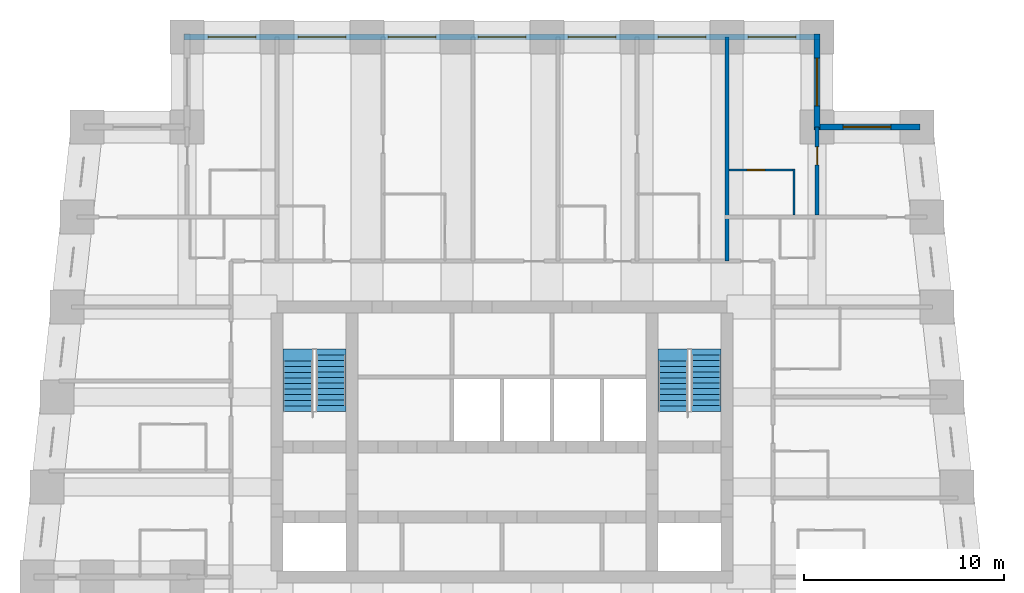
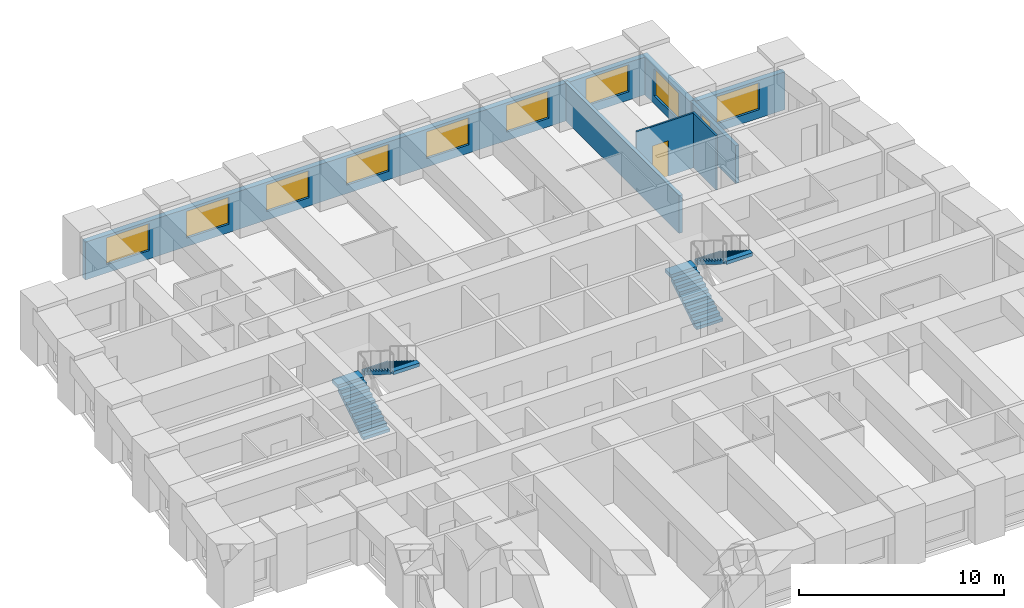
# One storey, part 7 of 8: 9 windows, 7 walls, 4 stair flights, 2 doors, 11 openings, 2 elements without a shape of their own.
"""IFC4 building model written with IfcOpenShell, lengths in metres."""

from ifc_helpers import new_model, si_unit, direction, frame, frame_2d, origin, place, context, subcontext, project, spatial, polyline, rectangle, outline, extrude, material, layer, layer_set, type_object, element, fill, aggregate, save


model = new_model("IFC4")

# Units and contexts
model_context = context("Model", 3, precision=1e-05, world=origin(), true_north=direction((0.0, 1.0)))
body_context = subcontext(model_context, "Body", "Model", "MODEL_VIEW")
ifc_project = project(units=[si_unit("LENGTHUNIT", "METRE"), si_unit("AREAUNIT", "SQUARE_METRE"), si_unit("VOLUMEUNIT", "CUBIC_METRE"), si_unit("PLANEANGLEUNIT", "RADIAN"), si_unit("MASSUNIT", "GRAM", prefix="KILO")], contexts=[model_context])

# Site, building, storey
site_placement = place(None, origin())
site = spatial("IfcSite", under=ifc_project, at=site_placement, CompositionType="ELEMENT")
building_placement = place(site_placement, origin())
building = spatial("IfcBuilding", under=site, at=building_placement, Name="Kilele Tower Hotel", CompositionType="ELEMENT")
storey_placement = place(building_placement, frame((0.0, 0.0, 197.39990234375)))
storey = spatial("IfcBuildingStorey", under=building, at=storey_placement, Name="L51", CompositionType="ELEMENT", Elevation=197.39990234375)

# Wall
ifc_material_1 = material(Name="Moisture-resistant board")
ifc_layer_1 = layer(ifc_material_1, 0.10009765625)
ifc_layer_set_1 = layer_set([ifc_layer_1], Name="Moisture-resistant board")
wall_type_1 = type_object("IfcWallType", Name="Bathroom partition 100", PredefinedType="PLUMBINGWALL", material=ifc_layer_set_1)
wall_1_placement = place(storey_placement, frame((39.35009765625, 31.60009765625, 0.0), z_axis=(0.0, 0.0, 1.0), x_axis=(0.0, 1.0, 0.0)))
element("IfcWall", 1, at=wall_1_placement, inside=storey, type_object=wall_type_1, Name="Bathroom partition 100 L51", PredefinedType="PLUMBINGWALL", context=body_context, shape_type="SweptSolid", body=[
    extrude(rectangle(XDim=2.2998046875, YDim=0.10009765625, at=frame_2d((1.14990234375, 0.0))), origin(), (0.0, 0.0, 1.0), 3.25),
])

# Wall, opening, door
wall_2_placement = place(storey_placement, frame((36.10009765625, 33.85009765625, 0.0), z_axis=(0.0, 0.0, 1.0), x_axis=(1.0, 0.0, 0.0)))
wall_2 = element("IfcWall", 2, at=wall_2_placement, inside=storey, type_object=wall_type_1, Name="Bathroom partition 100 L51", PredefinedType="PLUMBINGWALL", context=body_context, shape_type="SweptSolid", body=[
    extrude(rectangle(XDim=3.2998046875, YDim=0.10009765625, at=frame_2d((1.64990234375, 0.0))), origin(), (0.0, 0.0, 1.0), 3.25),
])
opening_1_placement = place(wall_2_placement, frame((0.89990234375, 0.0, 0.0)))
opening_1 = element("IfcOpeningElement", 3, at=opening_1_placement, cuts=wall_2, Name="Opening D2A", PredefinedType="OPENING", context=body_context, shape_type="SweptSolid", body=[
    extrude(rectangle(XDim=0.89990234375, YDim=2.10009765625, at=frame_2d((0.449951171875, 1.050048828125))), frame((0.0, 0.06005859375, 0.0), z_axis=(0.0, -1.0, 0.0), x_axis=(1.0, 0.0, 0.0)), (0.0, 0.0, 1.0), 0.1201171875),
])
ifc_material_2 = material(Name="Timber door leaf in hardwood frame", Category="wood")
door_type_1 = type_object("IfcDoorType", Name="Bathroom door 900", OperationType="SINGLE_SWING_LEFT", PredefinedType="DOOR", material=ifc_material_2)
door_1_placement = place(opening_1_placement, origin())
door_1 = element("IfcDoor", 4, at=door_1_placement, inside=storey, type_object=door_type_1, Name="Bathroom door 5123B", OperationType="SINGLE_SWING_LEFT", OverallHeight=2.10009765625, OverallWidth=0.89990234375, PredefinedType="DOOR", context=body_context, shape_type="SweptSolid", body=[
    extrude(rectangle(XDim=0.89990234375, YDim=2.10009765625, at=frame_2d((0.449951171875, 1.050048828125))), frame((0.0, 0.02490234375, 0.0), z_axis=(0.0, -1.0, 0.0), x_axis=(1.0, 0.0, 0.0)), (0.0, 0.0, 1.0), 0.050048828125),
])
fill(opening_1, door_1)

ifc_material_3 = material(Name="Blockwork, plastered both sides", Category="masonry")
ifc_layer_2 = layer(ifc_material_3, 0.199951171875)
ifc_layer_set_2 = layer_set([ifc_layer_2], Name="Blockwork, plastered both sides")
wall_type_2 = type_object("IfcWallType", Name="Partition wall 200", PredefinedType="PARTITIONING", material=ifc_layer_set_2)
wall_3_placement = place(storey_placement, frame((40.5, 31.60009765625, 0.0), z_axis=(0.0, 0.0, 1.0), x_axis=(0.0, 1.0, 0.0)))
wall_3 = element("IfcWall", 5, at=wall_3_placement, inside=storey, type_object=wall_type_2, Name="Partition wall 200 L51", PredefinedType="PARTITIONING", context=body_context, shape_type="SweptSolid", body=[
    extrude(rectangle(XDim=4.39990234375, YDim=0.199951171875, at=frame_2d((2.199951171875, 0.0))), origin(), (0.0, 0.0, 1.0), 2.25),
])
opening_2_placement = place(wall_3_placement, frame((2.5, 0.0, 0.0)))
opening_2 = element("IfcOpeningElement", 6, at=opening_2_placement, cuts=wall_3, Name="Opening D3", PredefinedType="OPENING", context=body_context, shape_type="SweptSolid", body=[
    extrude(rectangle(XDim=0.89990234375, YDim=2.10009765625, at=frame_2d((0.449951171875, 1.050048828125))), frame((0.0, 0.10986328125, 0.0), z_axis=(0.0, -1.0, 0.0), x_axis=(1.0, 0.0, 0.0)), (0.0, 0.0, 1.0), 0.219970703125),
])
ifc_material_4 = material(Name="Timber door leaf in hardwood frame", Category="wood")
door_type_2 = type_object("IfcDoorType", Name="Suite internal door 900", OperationType="SINGLE_SWING_LEFT", PredefinedType="DOOR", material=ifc_material_4)
door_2_placement = place(opening_2_placement, origin())
door_2 = element("IfcDoor", 7, at=door_2_placement, inside=storey, type_object=door_type_2, Name="Suite door 5124", OperationType="SINGLE_SWING_RIGHT", OverallHeight=2.10009765625, OverallWidth=0.89990234375, PredefinedType="DOOR", context=body_context, shape_type="SweptSolid", body=[
    extrude(rectangle(XDim=0.89990234375, YDim=2.10009765625, at=frame_2d((0.449951171875, 1.050048828125))), frame((0.0, 0.02490234375, 0.0), z_axis=(0.0, -1.0, 0.0), x_axis=(1.0, 0.0, 0.0)), (0.0, 0.0, 1.0), 0.050048828125),
])
fill(opening_2, door_2)

# Wall
ifc_material_5 = material(Name="Blockwork, plastered both sides", Category="masonry")
ifc_layer_3 = layer(ifc_material_5, 0.199951171875)
ifc_layer_set_3 = layer_set([ifc_layer_3], Name="Blockwork, plastered both sides")
wall_type_3 = type_object("IfcWallType", Name="Party wall 200", PredefinedType="PARTITIONING", material=ifc_layer_set_3)
wall_4_placement = place(storey_placement, frame((36.0, 29.300048828125, 0.0), z_axis=(0.0, 0.0, 1.0), x_axis=(0.0, 1.0, 0.0)))
element("IfcWall", 8, at=wall_4_placement, inside=storey, type_object=wall_type_3, Name="Party wall 200 L51", PredefinedType="PARTITIONING", context=body_context, shape_type="SweptSolid", body=[
    extrude(rectangle(XDim=11.199951171875, YDim=0.199951171875, at=frame_2d((5.60009765625, 0.0))), origin(), (0.0, 0.0, 1.0), 2.25),
])

# Wall, opening, window
ifc_material_6 = material(Name="Concrete C40/50 precast", Category="concrete")
ifc_layer_4 = layer(ifc_material_6, 0.260009765625, Name="Precast backing", Category="LoadBearing")
ifc_material_7 = material(Name="Reconstituted stone finish", Category="masonry")
ifc_layer_5 = layer(ifc_material_7, 0.0400390625, Name="Face mix", Category="Finish")
ifc_layer_set_4 = layer_set([ifc_layer_4, ifc_layer_5], Name="Precast concrete C40/50, reconstituted stone finish")
wall_type_4 = type_object("IfcWallType", Name="Precast stone facade wall 300", PredefinedType="STANDARD", material=ifc_layer_set_4)
wall_5_placement = place(storey_placement, frame((45.64990234375, 36.0, 0.0), z_axis=(0.0, 0.0, 1.0), x_axis=(-1.0, 0.0, 0.0)))
wall_5 = element("IfcWall", 9, at=wall_5_placement, inside=storey, type_object=wall_type_4, Name="Facade wall L51 edge 7", PredefinedType="STANDARD", context=body_context, shape_type="SweptSolid", body=[
    extrude(rectangle(XDim=5.2998046875, YDim=0.300048828125, at=frame_2d((2.64990234375, 0.0))), origin(), (0.0, 0.0, 1.0), 2.25),
])
opening_3_placement = place(wall_5_placement, frame((1.449951171875, 0.0, 0.5)))
opening_3 = element("IfcOpeningElement", 10, at=opening_3_placement, cuts=wall_5, Name="Opening W3", PredefinedType="OPENING", context=body_context, shape_type="SweptSolid", body=[
    extrude(rectangle(XDim=2.39990234375, YDim=1.60009765625, at=frame_2d((1.199951171875, 0.800048828125))), frame((0.0, 0.159912109375, 0.0), z_axis=(0.0, -1.0, 0.0), x_axis=(1.0, 0.0, 0.0)), (0.0, 0.0, 1.0), 0.320068359375),
])
ifc_material_8 = material(Name="Aluminium frame, clear double glazing", Category="aluminium")
window_type = type_object("IfcWindowType", Name="Window W3 2400 x 1600", PartitioningType="SINGLE_PANEL", PredefinedType="WINDOW", material=ifc_material_8)
window_1_placement = place(opening_3_placement, origin())
window_1 = element("IfcWindow", 11, at=window_1_placement, inside=storey, type_object=window_type, Name="Window L51", OverallHeight=1.60009765625, OverallWidth=2.39990234375, PartitioningType="SINGLE_PANEL", PredefinedType="WINDOW", context=body_context, shape_type="SweptSolid", body=[
    extrude(rectangle(XDim=2.39990234375, YDim=1.60009765625, at=frame_2d((1.199951171875, 0.800048828125))), frame((0.0, 0.030029296875, 0.0), z_axis=(0.0, -1.0, 0.0), x_axis=(1.0, 0.0, 0.0)), (0.0, 0.0, 1.0), 0.06005859375),
])
fill(opening_3, window_1)

wall_6_placement = place(storey_placement, frame((40.5, 35.85009765625, 0.0), z_axis=(0.0, 0.0, 1.0), x_axis=(0.0, 1.0, 0.0)))
wall_6 = element("IfcWall", 12, at=wall_6_placement, inside=storey, type_object=wall_type_4, Name="Facade wall L51 edge 8", PredefinedType="STANDARD", context=body_context, shape_type="SweptSolid", body=[
    extrude(rectangle(XDim=4.7998046875, YDim=0.300048828125, at=frame_2d((2.39990234375, 0.0))), origin(), (0.0, 0.0, 1.0), 2.25),
])
opening_4_placement = place(wall_6_placement, frame((1.199951171875, 0.0, 0.5)))
opening_4 = element("IfcOpeningElement", 13, at=opening_4_placement, cuts=wall_6, Name="Opening W3", PredefinedType="OPENING", context=body_context, shape_type="SweptSolid", body=[
    extrude(rectangle(XDim=2.39990234375, YDim=1.60009765625, at=frame_2d((1.199951171875, 0.800048828125))), frame((0.0, 0.159912109375, 0.0), z_axis=(0.0, -1.0, 0.0), x_axis=(1.0, 0.0, 0.0)), (0.0, 0.0, 1.0), 0.320068359375),
])
window_2_placement = place(opening_4_placement, origin())
window_2 = element("IfcWindow", 14, at=window_2_placement, inside=storey, type_object=window_type, Name="Window L51", OverallHeight=1.60009765625, OverallWidth=2.39990234375, PartitioningType="SINGLE_PANEL", PredefinedType="WINDOW", context=body_context, shape_type="SweptSolid", body=[
    extrude(rectangle(XDim=2.39990234375, YDim=1.60009765625, at=frame_2d((1.199951171875, 0.800048828125))), frame((0.0, 0.030029296875, 0.0), z_axis=(0.0, -1.0, 0.0), x_axis=(1.0, 0.0, 0.0)), (0.0, 0.0, 1.0), 0.06005859375),
])
fill(opening_4, window_2)

# Wall, openings, windows
wall_7_placement = place(storey_placement, frame((40.64990234375, 40.5, 0.0), z_axis=(0.0, 0.0, 1.0), x_axis=(-1.0, 0.0, 0.0)))
wall_7 = element("IfcWall", 15, at=wall_7_placement, inside=storey, type_object=wall_type_4, Name="Facade wall L51 edge 9", PredefinedType="STANDARD", context=body_context, shape_type="SweptSolid", body=[
    extrude(rectangle(XDim=31.7998046875, YDim=0.300048828125, at=frame_2d((15.89990234375, 0.0))), origin(), (0.0, 0.0, 1.0), 2.25),
])
opening_5_placement = place(wall_7_placement, frame((1.199951171875, 0.0, 0.5)))
opening_5 = element("IfcOpeningElement", 16, at=opening_5_placement, cuts=wall_7, Name="Opening W3", PredefinedType="OPENING", context=body_context, shape_type="SweptSolid", body=[
    extrude(rectangle(XDim=2.39990234375, YDim=1.60009765625, at=frame_2d((1.199951171875, 0.800048828125))), frame((0.0, 0.159912109375, 0.0), z_axis=(0.0, -1.0, 0.0), x_axis=(1.0, 0.0, 0.0)), (0.0, 0.0, 1.0), 0.320068359375),
])
opening_6_placement = place(wall_7_placement, frame((5.699951171875, 0.0, 0.5)))
opening_6 = element("IfcOpeningElement", 17, at=opening_6_placement, cuts=wall_7, Name="Opening W3", PredefinedType="OPENING", context=body_context, shape_type="SweptSolid", body=[
    extrude(rectangle(XDim=2.39990234375, YDim=1.60009765625, at=frame_2d((1.199951171875, 0.800048828125))), frame((0.0, 0.159912109375, 0.0), z_axis=(0.0, -1.0, 0.0), x_axis=(1.0, 0.0, 0.0)), (0.0, 0.0, 1.0), 0.320068359375),
])
opening_7_placement = place(wall_7_placement, frame((10.199951171875, 0.0, 0.5)))
opening_7 = element("IfcOpeningElement", 18, at=opening_7_placement, cuts=wall_7, Name="Opening W3", PredefinedType="OPENING", context=body_context, shape_type="SweptSolid", body=[
    extrude(rectangle(XDim=2.39990234375, YDim=1.60009765625, at=frame_2d((1.199951171875, 0.800048828125))), frame((0.0, 0.159912109375, 0.0), z_axis=(0.0, -1.0, 0.0), x_axis=(1.0, 0.0, 0.0)), (0.0, 0.0, 1.0), 0.320068359375),
])
opening_8_placement = place(wall_7_placement, frame((14.699951171875, 0.0, 0.5)))
opening_8 = element("IfcOpeningElement", 19, at=opening_8_placement, cuts=wall_7, Name="Opening W3", PredefinedType="OPENING", context=body_context, shape_type="SweptSolid", body=[
    extrude(rectangle(XDim=2.39990234375, YDim=1.60009765625, at=frame_2d((1.199951171875, 0.800048828125))), frame((0.0, 0.159912109375, 0.0), z_axis=(0.0, -1.0, 0.0), x_axis=(1.0, 0.0, 0.0)), (0.0, 0.0, 1.0), 0.320068359375),
])
opening_9_placement = place(wall_7_placement, frame((19.199951171875, 0.0, 0.5)))
opening_9 = element("IfcOpeningElement", 20, at=opening_9_placement, cuts=wall_7, Name="Opening W3", PredefinedType="OPENING", context=body_context, shape_type="SweptSolid", body=[
    extrude(rectangle(XDim=2.39990234375, YDim=1.60009765625, at=frame_2d((1.199951171875, 0.800048828125))), frame((0.0, 0.159912109375, 0.0), z_axis=(0.0, -1.0, 0.0), x_axis=(1.0, 0.0, 0.0)), (0.0, 0.0, 1.0), 0.320068359375),
])
opening_10_placement = place(wall_7_placement, frame((23.699951171875, 0.0, 0.5)))
opening_10 = element("IfcOpeningElement", 21, at=opening_10_placement, cuts=wall_7, Name="Opening W3", PredefinedType="OPENING", context=body_context, shape_type="SweptSolid", body=[
    extrude(rectangle(XDim=2.39990234375, YDim=1.60009765625, at=frame_2d((1.199951171875, 0.800048828125))), frame((0.0, 0.159912109375, 0.0), z_axis=(0.0, -1.0, 0.0), x_axis=(1.0, 0.0, 0.0)), (0.0, 0.0, 1.0), 0.320068359375),
])
opening_11_placement = place(wall_7_placement, frame((28.199951171875, 0.0, 0.5)))
opening_11 = element("IfcOpeningElement", 22, at=opening_11_placement, cuts=wall_7, Name="Opening W3", PredefinedType="OPENING", context=body_context, shape_type="SweptSolid", body=[
    extrude(rectangle(XDim=2.39990234375, YDim=1.60009765625, at=frame_2d((1.199951171875, 0.800048828125))), frame((0.0, 0.159912109375, 0.0), z_axis=(0.0, -1.0, 0.0), x_axis=(1.0, 0.0, 0.0)), (0.0, 0.0, 1.0), 0.320068359375),
])
window_3_placement = place(opening_5_placement, origin())
window_3 = element("IfcWindow", 23, at=window_3_placement, inside=storey, type_object=window_type, Name="Window L51", OverallHeight=1.60009765625, OverallWidth=2.39990234375, PartitioningType="SINGLE_PANEL", PredefinedType="WINDOW", context=body_context, shape_type="SweptSolid", body=[
    extrude(rectangle(XDim=2.39990234375, YDim=1.60009765625, at=frame_2d((1.199951171875, 0.800048828125))), frame((0.0, 0.030029296875, 0.0), z_axis=(0.0, -1.0, 0.0), x_axis=(1.0, 0.0, 0.0)), (0.0, 0.0, 1.0), 0.06005859375),
])
fill(opening_5, window_3)
window_4_placement = place(opening_6_placement, origin())
window_4 = element("IfcWindow", 24, at=window_4_placement, inside=storey, type_object=window_type, Name="Window L51", OverallHeight=1.60009765625, OverallWidth=2.39990234375, PartitioningType="SINGLE_PANEL", PredefinedType="WINDOW", context=body_context, shape_type="SweptSolid", body=[
    extrude(rectangle(XDim=2.39990234375, YDim=1.60009765625, at=frame_2d((1.199951171875, 0.800048828125))), frame((0.0, 0.030029296875, 0.0), z_axis=(0.0, -1.0, 0.0), x_axis=(1.0, 0.0, 0.0)), (0.0, 0.0, 1.0), 0.06005859375),
])
fill(opening_6, window_4)
window_5_placement = place(opening_7_placement, origin())
window_5 = element("IfcWindow", 25, at=window_5_placement, inside=storey, type_object=window_type, Name="Window L51", OverallHeight=1.60009765625, OverallWidth=2.39990234375, PartitioningType="SINGLE_PANEL", PredefinedType="WINDOW", context=body_context, shape_type="SweptSolid", body=[
    extrude(rectangle(XDim=2.39990234375, YDim=1.60009765625, at=frame_2d((1.199951171875, 0.800048828125))), frame((0.0, 0.030029296875, 0.0), z_axis=(0.0, -1.0, 0.0), x_axis=(1.0, 0.0, 0.0)), (0.0, 0.0, 1.0), 0.06005859375),
])
fill(opening_7, window_5)
window_6_placement = place(opening_8_placement, origin())
window_6 = element("IfcWindow", 26, at=window_6_placement, inside=storey, type_object=window_type, Name="Window L51", OverallHeight=1.60009765625, OverallWidth=2.39990234375, PartitioningType="SINGLE_PANEL", PredefinedType="WINDOW", context=body_context, shape_type="SweptSolid", body=[
    extrude(rectangle(XDim=2.39990234375, YDim=1.60009765625, at=frame_2d((1.199951171875, 0.800048828125))), frame((0.0, 0.030029296875, 0.0), z_axis=(0.0, -1.0, 0.0), x_axis=(1.0, 0.0, 0.0)), (0.0, 0.0, 1.0), 0.06005859375),
])
fill(opening_8, window_6)
window_7_placement = place(opening_9_placement, origin())
window_7 = element("IfcWindow", 27, at=window_7_placement, inside=storey, type_object=window_type, Name="Window L51", OverallHeight=1.60009765625, OverallWidth=2.39990234375, PartitioningType="SINGLE_PANEL", PredefinedType="WINDOW", context=body_context, shape_type="SweptSolid", body=[
    extrude(rectangle(XDim=2.39990234375, YDim=1.60009765625, at=frame_2d((1.199951171875, 0.800048828125))), frame((0.0, 0.030029296875, 0.0), z_axis=(0.0, -1.0, 0.0), x_axis=(1.0, 0.0, 0.0)), (0.0, 0.0, 1.0), 0.06005859375),
])
fill(opening_9, window_7)
window_8_placement = place(opening_10_placement, origin())
window_8 = element("IfcWindow", 28, at=window_8_placement, inside=storey, type_object=window_type, Name="Window L51", OverallHeight=1.60009765625, OverallWidth=2.39990234375, PartitioningType="SINGLE_PANEL", PredefinedType="WINDOW", context=body_context, shape_type="SweptSolid", body=[
    extrude(rectangle(XDim=2.39990234375, YDim=1.60009765625, at=frame_2d((1.199951171875, 0.800048828125))), frame((0.0, 0.030029296875, 0.0), z_axis=(0.0, -1.0, 0.0), x_axis=(1.0, 0.0, 0.0)), (0.0, 0.0, 1.0), 0.06005859375),
])
fill(opening_10, window_8)
window_9_placement = place(opening_11_placement, origin())
window_9 = element("IfcWindow", 29, at=window_9_placement, inside=storey, type_object=window_type, Name="Window L51", OverallHeight=1.60009765625, OverallWidth=2.39990234375, PartitioningType="SINGLE_PANEL", PredefinedType="WINDOW", context=body_context, shape_type="SweptSolid", body=[
    extrude(rectangle(XDim=2.39990234375, YDim=1.60009765625, at=frame_2d((1.199951171875, 0.800048828125))), frame((0.0, 0.030029296875, 0.0), z_axis=(0.0, -1.0, 0.0), x_axis=(1.0, 0.0, 0.0)), (0.0, 0.0, 1.0), 0.06005859375),
])
fill(opening_11, window_9)

# Stair, stair flights
ifc_material_9 = material(Name="Precast concrete C40/50", Category="concrete")
stair_type = type_object("IfcStairType", Name="Stair 1475 x 3500", PredefinedType="HALF_TURN_STAIR", material=ifc_material_9)
stair_1_placement = place(storey_placement, origin())
stair_1 = element("IfcStair", 30, at=stair_1_placement, inside=storey, type_object=stair_type, Name="Stair 1 L51", PredefinedType="HALF_TURN_STAIR")
ifc_material_10 = material(Name="Precast concrete C40/50", Category="concrete")
stair_flight_type = type_object("IfcStairFlightType", Name="Flight 1475 riser 175.0", PredefinedType="STRAIGHT", material=ifc_material_10)
stair_flight_1_placement = place(storey_placement, frame((14.53759765625, 21.77490234375, 0.0), z_axis=(0.0, 0.0, 1.0), x_axis=(0.0, 1.0, 0.0)))
stair_flight_1 = element("IfcStairFlight", 31, at=stair_flight_1_placement, type_object=stair_flight_type, Name="ST1 flight 1", NumberOfRisers=10, NumberOfTreads=9, PredefinedType="STRAIGHT", RiserHeight=0.175, TreadLength=0.28, context=body_context, shape_type="SweptSolid", body=[
    extrude(outline(polyline([(0.0, 0.0), (0.0, 0.175048828125), (0.280029296875, 0.175048828125), (0.280029296875, 0.35009765625), (0.56005859375, 0.35009765625), (0.56005859375, 0.52490234375), (0.840087890625, 0.52490234375), (0.840087890625, 0.699951171875), (1.1201171875, 0.699951171875), (1.1201171875, 0.875), (1.39990234375, 0.875), (1.39990234375, 1.050048828125), (1.679931640625, 1.050048828125), (1.679931640625, 1.22509765625), (1.9599609375, 1.22509765625), (1.9599609375, 1.39990234375), (2.239990234375, 1.39990234375), (2.239990234375, 1.574951171875), (2.52001953125, 1.574951171875), (2.52001953125, 1.75), (2.52001953125, 1.398193359375), (0.28271484375, 0.0), (0.0, 0.0)])), frame((0.0, 0.737548828125, 0.0), z_axis=(0.0, -1.0, 0.0), x_axis=(1.0, 0.0, 0.0)), (0.0, 0.0, 1.0), 1.47509765625),
    extrude(outline(polyline([(2.52001953125, 0.737548828125), (2.52001953125, -0.7373046875), (3.1201171875, -0.7373046875), (3.1201171875, 0.737548828125), (2.52001953125, 0.737548828125)])), frame((0.0, 0.0, 1.550048828125)), (0.0, 0.0, 1.0), 0.199951171875),
])
stair_flight_2_placement = place(storey_placement, frame((16.21240234375, 24.594970703125, 1.75), z_axis=(0.0, 0.0, 1.0), x_axis=(0.0, -1.0, 0.0)))
stair_flight_2 = element("IfcStairFlight", 32, at=stair_flight_2_placement, type_object=stair_flight_type, Name="ST1 flight 2", NumberOfRisers=10, NumberOfTreads=9, PredefinedType="STRAIGHT", RiserHeight=0.175, TreadLength=0.28, context=body_context, shape_type="SweptSolid", body=[
    extrude(outline(polyline([(0.0, 0.0), (0.0, 0.175048828125), (0.280029296875, 0.175048828125), (0.280029296875, 0.35009765625), (0.56005859375, 0.35009765625), (0.56005859375, 0.52490234375), (0.840087890625, 0.52490234375), (0.840087890625, 0.699951171875), (1.1201171875, 0.699951171875), (1.1201171875, 0.875), (1.39990234375, 0.875), (1.39990234375, 1.050048828125), (1.679931640625, 1.050048828125), (1.679931640625, 1.22509765625), (1.9599609375, 1.22509765625), (1.9599609375, 1.39990234375), (2.239990234375, 1.39990234375), (2.239990234375, 1.574951171875), (2.52001953125, 1.574951171875), (2.52001953125, 1.75), (2.52001953125, 1.398193359375), (0.28271484375, 0.0), (0.0, 0.0)])), frame((0.0, 0.737548828125, 0.0), z_axis=(0.0, -1.0, 0.0), x_axis=(1.0, 0.0, 0.0)), (0.0, 0.0, 1.0), 1.47509765625),
    extrude(outline(polyline([(0.0, -0.7373046875), (0.0, 0.737548828125), (-0.300048828125, 0.737548828125), (-0.300048828125, -0.7373046875), (0.0, -0.7373046875)])), frame((0.0, 0.0, -0.199951171875)), (0.0, 0.0, 1.0), 0.199951171875),
    extrude(outline(polyline([(2.820068359375, -0.7373046875), (2.820068359375, 0.737548828125), (2.52001953125, 0.737548828125), (2.52001953125, -0.7373046875), (2.820068359375, -0.7373046875)])), frame((0.0, 0.0, 1.550048828125)), (0.0, 0.0, 1.0), 0.199951171875),
])
aggregate(stair_1, [stair_flight_1, stair_flight_2])

stair_2_placement = place(storey_placement, origin())
stair_2 = element("IfcStair", 33, at=stair_2_placement, inside=storey, type_object=stair_type, Name="Stair 2 L51", PredefinedType="HALF_TURN_STAIR")
stair_flight_3_placement = place(storey_placement, frame((33.28759765625, 21.77490234375, 0.0), z_axis=(0.0, 0.0, 1.0), x_axis=(0.0, 1.0, 0.0)))
stair_flight_3 = element("IfcStairFlight", 34, at=stair_flight_3_placement, type_object=stair_flight_type, Name="ST2 flight 1", NumberOfRisers=10, NumberOfTreads=9, PredefinedType="STRAIGHT", RiserHeight=0.175, TreadLength=0.28, context=body_context, shape_type="SweptSolid", body=[
    extrude(outline(polyline([(0.0, 0.0), (0.0, 0.175048828125), (0.280029296875, 0.175048828125), (0.280029296875, 0.35009765625), (0.56005859375, 0.35009765625), (0.56005859375, 0.52490234375), (0.840087890625, 0.52490234375), (0.840087890625, 0.699951171875), (1.1201171875, 0.699951171875), (1.1201171875, 0.875), (1.39990234375, 0.875), (1.39990234375, 1.050048828125), (1.679931640625, 1.050048828125), (1.679931640625, 1.22509765625), (1.9599609375, 1.22509765625), (1.9599609375, 1.39990234375), (2.239990234375, 1.39990234375), (2.239990234375, 1.574951171875), (2.52001953125, 1.574951171875), (2.52001953125, 1.75), (2.52001953125, 1.398193359375), (0.28271484375, 0.0), (0.0, 0.0)])), frame((0.0, 0.737548828125, 0.0), z_axis=(0.0, -1.0, 0.0), x_axis=(1.0, 0.0, 0.0)), (0.0, 0.0, 1.0), 1.47509765625),
    extrude(outline(polyline([(2.52001953125, 0.737548828125), (2.52001953125, -0.7373046875), (3.1201171875, -0.7373046875), (3.1201171875, 0.737548828125), (2.52001953125, 0.737548828125)])), frame((0.0, 0.0, 1.550048828125)), (0.0, 0.0, 1.0), 0.199951171875),
])
stair_flight_4_placement = place(storey_placement, frame((34.96240234375, 24.594970703125, 1.75), z_axis=(0.0, 0.0, 1.0), x_axis=(0.0, -1.0, 0.0)))
stair_flight_4 = element("IfcStairFlight", 35, at=stair_flight_4_placement, type_object=stair_flight_type, Name="ST2 flight 2", NumberOfRisers=10, NumberOfTreads=9, PredefinedType="STRAIGHT", RiserHeight=0.175, TreadLength=0.28, context=body_context, shape_type="SweptSolid", body=[
    extrude(outline(polyline([(0.0, 0.0), (0.0, 0.175048828125), (0.280029296875, 0.175048828125), (0.280029296875, 0.35009765625), (0.56005859375, 0.35009765625), (0.56005859375, 0.52490234375), (0.840087890625, 0.52490234375), (0.840087890625, 0.699951171875), (1.1201171875, 0.699951171875), (1.1201171875, 0.875), (1.39990234375, 0.875), (1.39990234375, 1.050048828125), (1.679931640625, 1.050048828125), (1.679931640625, 1.22509765625), (1.9599609375, 1.22509765625), (1.9599609375, 1.39990234375), (2.239990234375, 1.39990234375), (2.239990234375, 1.574951171875), (2.52001953125, 1.574951171875), (2.52001953125, 1.75), (2.52001953125, 1.398193359375), (0.28271484375, 0.0), (0.0, 0.0)])), frame((0.0, 0.737548828125, 0.0), z_axis=(0.0, -1.0, 0.0), x_axis=(1.0, 0.0, 0.0)), (0.0, 0.0, 1.0), 1.47509765625),
    extrude(outline(polyline([(0.0, -0.7373046875), (0.0, 0.737548828125), (-0.300048828125, 0.737548828125), (-0.300048828125, -0.7373046875), (0.0, -0.7373046875)])), frame((0.0, 0.0, -0.199951171875)), (0.0, 0.0, 1.0), 0.199951171875),
    extrude(outline(polyline([(2.820068359375, -0.7373046875), (2.820068359375, 0.737548828125), (2.52001953125, 0.737548828125), (2.52001953125, -0.7373046875), (2.820068359375, -0.7373046875)])), frame((0.0, 0.0, 1.550048828125)), (0.0, 0.0, 1.0), 0.199951171875),
])
aggregate(stair_2, [stair_flight_3, stair_flight_4])

save(model, "model.ifc")
